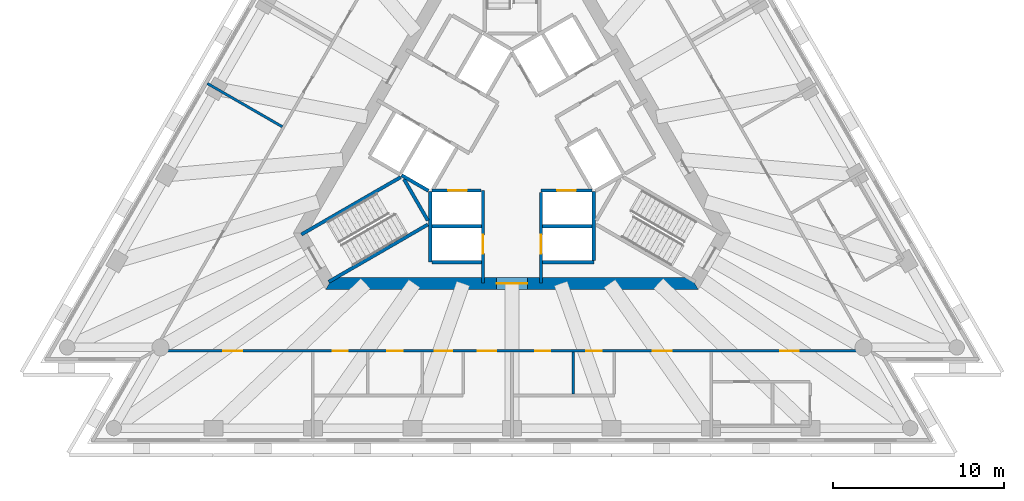
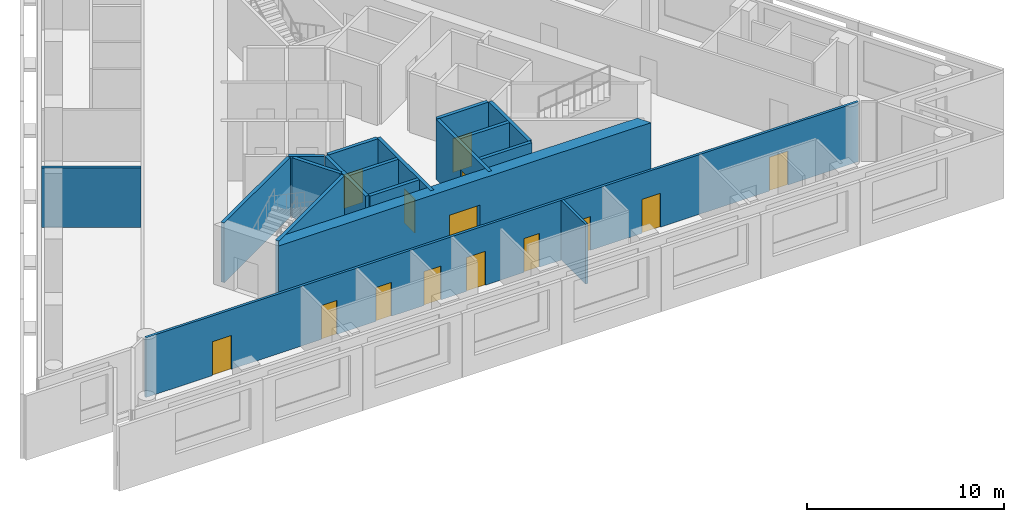
# One storey, part 3 of 10: 18 walls, 14 doors, 14 openings.
"""IFC4 building model written with IfcOpenShell, lengths in metres."""

from ifc_helpers import new_model, si_unit, direction, frame, frame_2d, origin, place, context, subcontext, project, spatial, polyline, rectangle, outline, extrude, material, layer, layer_set, type_object, element, fill, save


model = new_model("IFC4")

# Units and contexts
model_context = context("Model", 3, precision=1e-05, world=origin(), true_north=direction((0.0, 1.0)))
body_context = subcontext(model_context, "Body", "Model", "MODEL_VIEW")
ifc_project = project(units=[si_unit("LENGTHUNIT", "METRE"), si_unit("AREAUNIT", "SQUARE_METRE"), si_unit("VOLUMEUNIT", "CUBIC_METRE"), si_unit("PLANEANGLEUNIT", "RADIAN"), si_unit("MASSUNIT", "GRAM", prefix="KILO")], contexts=[model_context])

# Site, building, storey
site_placement = place(None, origin())
site = spatial("IfcSite", under=ifc_project, at=site_placement, CompositionType="ELEMENT")
building_placement = place(site_placement, origin())
building = spatial("IfcBuilding", under=site, at=building_placement, Name="Triada Interchange Tower", CompositionType="ELEMENT")
storey_placement = place(building_placement, frame((0.0, 0.0, 243.300048828125)))
storey = spatial("IfcBuildingStorey", under=building, at=storey_placement, Name="L57", CompositionType="ELEMENT", Elevation=243.300048828125)

# Walls
ifc_material_1 = material(Name="Concrete C30/37", Category="concrete")
ifc_layer_1 = layer(ifc_material_1, 0.199951171875)
ifc_layer_set_1 = layer_set([ifc_layer_1], Name="CORE WALL 200 EI 120")
wall_type_1 = type_object("IfcWallType", Name="CORE WALL 200 EI 120", PredefinedType="SOLIDWALL", material=ifc_layer_set_1)
for number, where, z_axis, x_axis, name in (
    (1, (-4.699951171875, -4.800048828125, 0.0), (0.0, 0.0, 1.0), (1.0, 0.0, 0.0), "Wall L56 43"),
    (2, (1.800048828125, -4.800048828125, 0.0), (0.0, 0.0, 1.0), (1.0, 0.0, 0.0), "Wall L56 44"),
):
    element("IfcWall", number, at=place(storey_placement, frame(where, z_axis=z_axis, x_axis=x_axis)), inside=storey, type_object=wall_type_1, Name=name, PredefinedType="SOLIDWALL", context=body_context, shape_type="SweptSolid", body=[
        extrude(rectangle(XDim=2.89990234375, YDim=0.199951171875, at=frame_2d((1.449951171875, 0.0))), origin(), (0.0, 0.0, 1.0), 3.699951171875),
    ])
wall_1_placement = place(storey_placement, frame((-4.800048828125, -6.89990234375, 0.0), z_axis=(0.0, 0.0, 1.0), x_axis=(0.0, 1.0, 0.0)))
element("IfcWall", 3, at=wall_1_placement, inside=storey, type_object=wall_type_1, Name="Wall L56 45", PredefinedType="SOLIDWALL", context=body_context, shape_type="SweptSolid", body=[
    extrude(rectangle(XDim=4.130859375, YDim=0.199951171875, at=frame_2d((2.0654296875, 0.0))), origin(), (0.0, 0.0, 1.0), 3.699951171875),
])
wall_2_placement = place(storey_placement, frame((-4.699951171875, -6.89990234375, 0.0), z_axis=(0.0, 0.0, 1.0), x_axis=(1.0, 0.0, 0.0)))
element("IfcWall", 4, at=wall_2_placement, inside=storey, type_object=wall_type_1, Name="Wall L56 46", PredefinedType="SOLIDWALL", context=body_context, shape_type="SweptSolid", body=[
    extrude(rectangle(XDim=2.89990234375, YDim=0.199951171875, at=frame_2d((1.449951171875, 0.0))), origin(), (0.0, 0.0, 1.0), 3.699951171875),
])
wall_3_placement = place(storey_placement, frame((1.800048828125, -6.89990234375, 0.0), z_axis=(0.0, 0.0, 1.0), x_axis=(1.0, 0.0, 0.0)))
element("IfcWall", 5, at=wall_3_placement, inside=storey, type_object=wall_type_1, Name="Wall L56 47", PredefinedType="SOLIDWALL", context=body_context, shape_type="SweptSolid", body=[
    extrude(rectangle(XDim=3.0, YDim=0.199951171875, at=frame_2d((1.5, 0.0))), origin(), (0.0, 0.0, 1.0), 3.699951171875),
])

# Wall, opening, door
wall_4_placement = place(storey_placement, frame((-1.699951171875, -8.1298828125, 0.0), z_axis=(0.0, 0.0, 1.0), x_axis=(0.0, 1.0, 0.0)))
wall_4 = element("IfcWall", 6, at=wall_4_placement, inside=storey, type_object=wall_type_1, Name="Wall L56 48", PredefinedType="SOLIDWALL", context=body_context, shape_type="SweptSolid", body=[
    extrude(rectangle(XDim=5.427001953125, YDim=0.199951171875, at=frame_2d((2.71337890625, 0.0))), origin(), (0.0, 0.0, 1.0), 3.699951171875),
])
opening_1_placement = place(wall_4_placement, frame((1.72998046875, 0.0, 0.0)))
opening_1 = element("IfcOpeningElement", 7, at=opening_1_placement, cuts=wall_4, Name="Opening LD-HR4", PredefinedType="OPENING", context=body_context, shape_type="SweptSolid", body=[
    extrude(rectangle(XDim=1.10009765625, YDim=2.10009765625, at=frame_2d((0.550048828125, 1.050048828125))), frame((0.0, 0.10986328125, 0.0), z_axis=(0.0, -1.0, 0.0), x_axis=(1.0, 0.0, 0.0)), (0.0, 0.0, 1.0), 0.219970703125),
])
ifc_material_2 = material(Name="Steel S235 door leaf", Category="steel")
door_type_1 = type_object("IfcDoorType", Name="LIFT LANDING DOOR 1100 EI 120", OperationType="SLIDING_TO_LEFT", PredefinedType="DOOR", material=ifc_material_2)
door_1_placement = place(opening_1_placement, origin())
door_1 = element("IfcDoor", 8, at=door_1_placement, inside=storey, type_object=door_type_1, Name="HR4 landing door L57", OperationType="SLIDING_TO_LEFT", OverallHeight=2.10009765625, OverallWidth=1.10009765625, PredefinedType="DOOR", context=body_context, shape_type="SweptSolid", body=[
    extrude(rectangle(XDim=1.10009765625, YDim=2.10009765625, at=frame_2d((0.550048828125, 1.050048828125))), frame((0.0, 0.02490234375, 0.0), z_axis=(0.0, -1.0, 0.0), x_axis=(1.0, 0.0, 0.0)), (0.0, 0.0, 1.0), 0.050048828125),
])
fill(opening_1, door_1)

wall_5_placement = place(storey_placement, frame((-4.676025390625, -2.699951171875, 0.0), z_axis=(0.0, 0.0, 1.0), x_axis=(1.0, 0.0, 0.0)))
wall_5 = element("IfcWall", 9, at=wall_5_placement, inside=storey, type_object=wall_type_1, Name="Wall L56 49", PredefinedType="SOLIDWALL", context=body_context, shape_type="SweptSolid", body=[
    extrude(rectangle(XDim=2.873046875, YDim=0.199951171875, at=frame_2d((1.4365234375, 0.0))), origin(), (0.0, 0.0, 1.0), 3.699951171875),
])
opening_2_placement = place(wall_5_placement, frame((0.93701171875, 0.0, 0.0)))
opening_2 = element("IfcOpeningElement", 10, at=opening_2_placement, cuts=wall_5, Name="Opening LD-HR3", PredefinedType="OPENING", context=body_context, shape_type="SweptSolid", body=[
    extrude(rectangle(XDim=1.10009765625, YDim=2.10009765625, at=frame_2d((0.550048828125, 1.050048828125))), frame((0.0, 0.10986328125, 0.0), z_axis=(0.0, -1.0, 0.0), x_axis=(1.0, 0.0, 0.0)), (0.0, 0.0, 1.0), 0.219970703125),
])
door_2_placement = place(opening_2_placement, origin())
door_2 = element("IfcDoor", 11, at=door_2_placement, inside=storey, type_object=door_type_1, Name="HR3 landing door L57", OperationType="SLIDING_TO_LEFT", OverallHeight=2.10009765625, OverallWidth=1.10009765625, PredefinedType="DOOR", context=body_context, shape_type="SweptSolid", body=[
    extrude(rectangle(XDim=1.10009765625, YDim=2.10009765625, at=frame_2d((0.550048828125, 1.050048828125))), frame((0.0, 0.02490234375, 0.0), z_axis=(0.0, -1.0, 0.0), x_axis=(1.0, 0.0, 0.0)), (0.0, 0.0, 1.0), 0.050048828125),
])
fill(opening_2, door_2)

wall_6_placement = place(storey_placement, frame((1.702880859375, -2.699951171875, 0.0), z_axis=(0.0, 0.0, 1.0), x_axis=(1.0, 0.0, 0.0)))
wall_6 = element("IfcWall", 12, at=wall_6_placement, inside=storey, type_object=wall_type_1, Name="Wall L56 50", PredefinedType="SOLIDWALL", context=body_context, shape_type="SweptSolid", body=[
    extrude(rectangle(XDim=2.97314453125, YDim=0.199951171875, at=frame_2d((1.486572265625, 0.0))), origin(), (0.0, 0.0, 1.0), 3.699951171875),
])
opening_3_placement = place(wall_6_placement, frame((0.93603515625, 0.0, 0.0)))
opening_3 = element("IfcOpeningElement", 13, at=opening_3_placement, cuts=wall_6, Name="Opening LD-HR1", PredefinedType="OPENING", context=body_context, shape_type="SweptSolid", body=[
    extrude(rectangle(XDim=1.10009765625, YDim=2.10009765625, at=frame_2d((0.550048828125, 1.050048828125))), frame((0.0, 0.10986328125, 0.0), z_axis=(0.0, -1.0, 0.0), x_axis=(1.0, 0.0, 0.0)), (0.0, 0.0, 1.0), 0.219970703125),
])
door_3_placement = place(opening_3_placement, origin())
door_3 = element("IfcDoor", 14, at=door_3_placement, inside=storey, type_object=door_type_1, Name="HR1 landing door L57", OperationType="SLIDING_TO_LEFT", OverallHeight=2.10009765625, OverallWidth=1.10009765625, PredefinedType="DOOR", context=body_context, shape_type="SweptSolid", body=[
    extrude(rectangle(XDim=1.10009765625, YDim=2.10009765625, at=frame_2d((0.550048828125, 1.050048828125))), frame((0.0, 0.02490234375, 0.0), z_axis=(0.0, -1.0, 0.0), x_axis=(1.0, 0.0, 0.0)), (0.0, 0.0, 1.0), 0.050048828125),
])
fill(opening_3, door_3)

wall_7_placement = place(storey_placement, frame((1.699951171875, -8.1298828125, 0.0), z_axis=(0.0, 0.0, 1.0), x_axis=(0.0, 1.0, 0.0)))
wall_7 = element("IfcWall", 15, at=wall_7_placement, inside=storey, type_object=wall_type_1, Name="Wall L56 55", PredefinedType="SOLIDWALL", context=body_context, shape_type="SweptSolid", body=[
    extrude(rectangle(XDim=5.326904296875, YDim=0.199951171875, at=frame_2d((2.66357421875, 0.0))), origin(), (0.0, 0.0, 1.0), 3.699951171875),
])
opening_4_placement = place(wall_7_placement, frame((1.72998046875, 0.0, 0.0)))
opening_4 = element("IfcOpeningElement", 16, at=opening_4_placement, cuts=wall_7, Name="Opening LD-HR2", PredefinedType="OPENING", context=body_context, shape_type="SweptSolid", body=[
    extrude(rectangle(XDim=1.10009765625, YDim=2.10009765625, at=frame_2d((0.550048828125, 1.050048828125))), frame((0.0, 0.10986328125, 0.0), z_axis=(0.0, -1.0, 0.0), x_axis=(1.0, 0.0, 0.0)), (0.0, 0.0, 1.0), 0.219970703125),
])
door_4_placement = place(opening_4_placement, origin())
door_4 = element("IfcDoor", 17, at=door_4_placement, inside=storey, type_object=door_type_1, Name="HR2 landing door L57", OperationType="SLIDING_TO_LEFT", OverallHeight=2.10009765625, OverallWidth=1.10009765625, PredefinedType="DOOR", context=body_context, shape_type="SweptSolid", body=[
    extrude(rectangle(XDim=1.10009765625, YDim=2.10009765625, at=frame_2d((0.550048828125, 1.050048828125))), frame((0.0, 0.02490234375, 0.0), z_axis=(0.0, -1.0, 0.0), x_axis=(1.0, 0.0, 0.0)), (0.0, 0.0, 1.0), 0.050048828125),
])
fill(opening_4, door_4)

# Walls
wall_8_placement = place(storey_placement, frame((4.800048828125, -6.800048828125, 0.0), z_axis=(0.0, 0.0, 1.0), x_axis=(0.0, 1.0, 0.0)))
element("IfcWall", 18, at=wall_8_placement, inside=storey, type_object=wall_type_1, Name="Wall L56 56", PredefinedType="SOLIDWALL", context=body_context, shape_type="SweptSolid", body=[
    extrude(rectangle(XDim=4.029052734375, YDim=0.199951171875, at=frame_2d((2.0146484375, 0.0))), origin(), (0.0, 0.0, 1.0), 3.699951171875),
])
ifc_layer_2 = layer(ifc_material_1, 0.199951171875)
ifc_layer_set_2 = layer_set([ifc_layer_2], Name="CORE WALL 200 EI 180")
wall_type_2 = type_object("IfcWallType", Name="CORE WALL 200 EI 180", PredefinedType="SOLIDWALL", material=ifc_layer_set_2)
wall_9_placement = place(storey_placement, frame((-6.469970703125, -1.806884765625, 0.0), z_axis=(0.0, 0.0, 1.0), x_axis=(0.865883195159, -0.500246231712, 0.0)))
element("IfcWall", 19, at=wall_9_placement, inside=storey, type_object=wall_type_2, Name="Shaft wall FF1 L56 74", PredefinedType="SOLIDWALL", context=body_context, shape_type="SweptSolid", body=[
    extrude(rectangle(XDim=1.8154296875, YDim=0.199951171875, at=frame_2d((0.90771484375, 0.0))), origin(), (0.0, 0.0, 1.0), 3.699951171875),
])
ifc_layer_3 = layer(ifc_material_1, 0.199951171875)
ifc_layer_set_3 = layer_set([ifc_layer_3], Name="CORE WALL 200 REI 240")
wall_type_3 = type_object("IfcWallType", Name="CORE WALL 200 REI 240", PredefinedType="SOLIDWALL", material=ifc_layer_set_3)
wall_10_placement = place(storey_placement, frame((-12.343994140625, -5.279052734375, 0.0), z_axis=(0.0, 0.0, 1.0), x_axis=(0.866046323291, 0.499963764601, 0.0)))
element("IfcWall", 20, at=wall_10_placement, inside=storey, type_object=wall_type_3, Name="Wall L56 84", PredefinedType="SOLIDWALL", context=body_context, shape_type="SweptSolid", body=[
    extrude(rectangle(XDim=6.71435546875, YDim=0.199951171875, at=frame_2d((3.357177734375, 0.0))), origin(), (0.0, 0.0, 1.0), 3.699951171875),
])
wall_11_placement = place(storey_placement, frame((-6.3291015625, -2.0380859375, 0.0), z_axis=(0.0, 0.0, 1.0), x_axis=(0.500200581029, -0.865909567298, 0.0)))
element("IfcWall", 21, at=wall_11_placement, inside=storey, type_object=wall_type_3, Name="Wall L56 85", PredefinedType="SOLIDWALL", context=body_context, shape_type="SweptSolid", body=[
    extrude(rectangle(XDim=2.799072265625, YDim=0.199951171875, at=frame_2d((1.3994140625, 0.0))), origin(), (0.0, 0.0, 1.0), 3.699951171875),
])
wall_12_placement = place(storey_placement, frame((-10.743896484375, -8.051025390625, 0.0), z_axis=(0.0, 0.0, 1.0), x_axis=(0.865983344943, 0.500072840975, 0.0)))
element("IfcWall", 22, at=wall_12_placement, inside=storey, type_object=wall_type_3, Name="Wall L56 86", PredefinedType="SOLIDWALL", context=body_context, shape_type="SweptSolid", body=[
    extrude(rectangle(XDim=6.71484375, YDim=0.199951171875, at=frame_2d((3.357421875, 0.0))), origin(), (0.0, 0.0, 1.0), 3.699951171875),
])

# Wall, opening, door
ifc_material_3 = material(Name="Concrete C50/60", Category="concrete")
ifc_layer_4 = layer(ifc_material_3, 0.699951171875)
ifc_layer_set_4 = layer_set([ifc_layer_4], Name="Core wall C 700")
wall_type_4 = type_object("IfcWallType", Name="Core wall C 700", PredefinedType="SHEAR", material=ifc_layer_set_4)
wall_13_placement = place(storey_placement, frame((-10.7099609375, -8.14990234375, -0.300048828125), z_axis=(0.0, 0.0, 1.0), x_axis=(1.0, 0.0, 0.0)))
wall_13 = element("IfcWall", 23, at=wall_13_placement, inside=storey, type_object=wall_type_4, Name="Core wall WC04 L57", PredefinedType="SHEAR", context=body_context, shape_type="SweptSolid", body=[
    extrude(outline(polyline([(-0.201904296875, -0.35009765625), (1.781982421875, -0.35009765625), (3.76611328125, -0.35009765625), (5.75, -0.35009765625), (7.734130859375, -0.35009765625), (9.718017578125, -0.35009765625), (11.7021484375, -0.35009765625), (13.68603515625, -0.35009765625), (15.670166015625, -0.35009765625), (17.654052734375, -0.35009765625), (19.63818359375, -0.35009765625), (21.6220703125, -0.35009765625), (21.218017578125, 0.35009765625), (19.307373046875, 0.35009765625), (17.39697265625, 0.35009765625), (15.486328125, 0.35009765625), (13.57568359375, 0.35009765625), (11.665283203125, 0.35009765625), (9.754638671875, 0.35009765625), (7.84423828125, 0.35009765625), (5.93359375, 0.35009765625), (4.02294921875, 0.35009765625), (2.112548828125, 0.35009765625), (0.201904296875, 0.35009765625), (-0.201904296875, -0.35009765625)])), origin(), (0.0, 0.0, 1.0), 4.0),
])
opening_5_placement = place(wall_13_placement, frame((9.81005859375, 0.0, 0.300048828125)))
opening_5 = element("IfcOpeningElement", 24, at=opening_5_placement, cuts=wall_13, Name="Opening D56-39", PredefinedType="OPENING", context=body_context, shape_type="SweptSolid", body=[
    extrude(rectangle(XDim=1.800048828125, YDim=2.10009765625, at=frame_2d((0.89990234375, 1.050048828125))), frame((0.0, 0.360107421875, 0.0), z_axis=(0.0, -1.0, 0.0), x_axis=(1.0, 0.0, 0.0)), (0.0, 0.0, 1.0), 0.72021484375),
])
door_type_2 = type_object("IfcDoorType", Name="LOBBY DOOR 1800 EI2 90-C5S200", OperationType="DOUBLE_DOOR_SINGLE_SWING", PredefinedType="DOOR", material=ifc_material_2)
door_5_placement = place(opening_5_placement, origin())
door_5 = element("IfcDoor", 25, at=door_5_placement, inside=storey, type_object=door_type_2, Name="Door D56-39 L57", OperationType="DOUBLE_DOOR_SINGLE_SWING", OverallHeight=2.10009765625, OverallWidth=1.800048828125, PredefinedType="DOOR", context=body_context, shape_type="SweptSolid", body=[
    extrude(rectangle(XDim=1.800048828125, YDim=2.10009765625, at=frame_2d((0.89990234375, 1.050048828125))), frame((0.0, 0.02490234375, 0.0), z_axis=(0.0, -1.0, 0.0), x_axis=(1.0, 0.0, 0.0)), (0.0, 0.0, 1.0), 0.050048828125),
])
fill(opening_5, door_5)

# Wall, openings, doors
ifc_material_4 = material(Name="Gypsum board partition")
ifc_layer_5 = layer(ifc_material_4, 0.14990234375)
ifc_layer_set_5 = layer_set([ifc_layer_5], Name="PARTITION 150 EI 180")
wall_type_5 = type_object("IfcWallType", Name="PARTITION 150 EI 180", PredefinedType="PARTITIONING", material=ifc_layer_set_5)
wall_14_placement = place(storey_placement, frame((-20.806884765625, -12.10009765625, 0.0), z_axis=(0.0, 0.0, 1.0), x_axis=(1.0, 0.0, 0.0)))
wall_14 = element("IfcWall", 26, at=wall_14_placement, inside=storey, type_object=wall_type_5, Name="Wall L56 3", PredefinedType="PARTITIONING", context=body_context, shape_type="SweptSolid", body=[
    extrude(rectangle(XDim=41.763916015625, YDim=0.14990234375, at=frame_2d((20.8818359375, 0.0))), origin(), (0.0, 0.0, 1.0), 3.699951171875),
])
opening_6_placement = place(wall_14_placement, frame((3.89990234375, 0.0, 0.0)))
opening_6 = element("IfcOpeningElement", 27, at=opening_6_placement, cuts=wall_14, Name="Opening D56-11", PredefinedType="OPENING", context=body_context, shape_type="SweptSolid", body=[
    extrude(rectangle(XDim=1.10009765625, YDim=2.10009765625, at=frame_2d((0.550048828125, 1.050048828125))), frame((0.0, 0.0849609375, 0.0), z_axis=(0.0, -1.0, 0.0), x_axis=(1.0, 0.0, 0.0)), (0.0, 0.0, 1.0), 0.169921875),
])
opening_7_placement = place(wall_14_placement, frame((18.7919921875, 0.0, 0.0)))
opening_7 = element("IfcOpeningElement", 28, at=opening_7_placement, cuts=wall_14, Name="Opening D56-12", PredefinedType="OPENING", context=body_context, shape_type="SweptSolid", body=[
    extrude(rectangle(XDim=1.10009765625, YDim=2.10009765625, at=frame_2d((0.550048828125, 1.050048828125))), frame((0.0, 0.0849609375, 0.0), z_axis=(0.0, -1.0, 0.0), x_axis=(1.0, 0.0, 0.0)), (0.0, 0.0, 1.0), 0.169921875),
])
opening_8_placement = place(wall_14_placement, frame((10.2919921875, 0.0, 0.0)))
opening_8 = element("IfcOpeningElement", 29, at=opening_8_placement, cuts=wall_14, Name="Opening D56-13", PredefinedType="OPENING", context=body_context, shape_type="SweptSolid", body=[
    extrude(rectangle(XDim=0.89990234375, YDim=2.10009765625, at=frame_2d((0.449951171875, 1.050048828125))), frame((0.0, 0.0849609375, 0.0), z_axis=(0.0, -1.0, 0.0), x_axis=(1.0, 0.0, 0.0)), (0.0, 0.0, 1.0), 0.169921875),
])
opening_9_placement = place(wall_14_placement, frame((13.491943359375, 0.0, 0.0)))
opening_9 = element("IfcOpeningElement", 30, at=opening_9_placement, cuts=wall_14, Name="Opening D56-14", PredefinedType="OPENING", context=body_context, shape_type="SweptSolid", body=[
    extrude(rectangle(XDim=0.89990234375, YDim=2.10009765625, at=frame_2d((0.449951171875, 1.050048828125))), frame((0.0, 0.0849609375, 0.0), z_axis=(0.0, -1.0, 0.0), x_axis=(1.0, 0.0, 0.0)), (0.0, 0.0, 1.0), 0.169921875),
])
opening_10_placement = place(wall_14_placement, frame((16.2919921875, 0.0, 0.0)))
opening_10 = element("IfcOpeningElement", 31, at=opening_10_placement, cuts=wall_14, Name="Opening D56-15", PredefinedType="OPENING", context=body_context, shape_type="SweptSolid", body=[
    extrude(rectangle(XDim=1.0, YDim=2.10009765625, at=frame_2d((0.5, 1.050048828125))), frame((0.0, 0.0849609375, 0.0), z_axis=(0.0, -1.0, 0.0), x_axis=(1.0, 0.0, 0.0)), (0.0, 0.0, 1.0), 0.169921875),
])
opening_11_placement = place(wall_14_placement, frame((29.056884765625, 0.0, 0.0)))
opening_11 = element("IfcOpeningElement", 32, at=opening_11_placement, cuts=wall_14, Name="Opening D56-16", PredefinedType="OPENING", context=body_context, shape_type="SweptSolid", body=[
    extrude(rectangle(XDim=1.10009765625, YDim=2.10009765625, at=frame_2d((0.550048828125, 1.050048828125))), frame((0.0, 0.0849609375, 0.0), z_axis=(0.0, -1.0, 0.0), x_axis=(1.0, 0.0, 0.0)), (0.0, 0.0, 1.0), 0.169921875),
])
opening_12_placement = place(wall_14_placement, frame((22.156982421875, 0.0, 0.0)))
opening_12 = element("IfcOpeningElement", 33, at=opening_12_placement, cuts=wall_14, Name="Opening D56-17", PredefinedType="OPENING", context=body_context, shape_type="SweptSolid", body=[
    extrude(rectangle(XDim=0.89990234375, YDim=2.10009765625, at=frame_2d((0.449951171875, 1.050048828125))), frame((0.0, 0.0849609375, 0.0), z_axis=(0.0, -1.0, 0.0), x_axis=(1.0, 0.0, 0.0)), (0.0, 0.0, 1.0), 0.169921875),
])
opening_13_placement = place(wall_14_placement, frame((25.156982421875, 0.0, 0.0)))
opening_13 = element("IfcOpeningElement", 34, at=opening_13_placement, cuts=wall_14, Name="Opening D56-18", PredefinedType="OPENING", context=body_context, shape_type="SweptSolid", body=[
    extrude(rectangle(XDim=0.89990234375, YDim=2.10009765625, at=frame_2d((0.449951171875, 1.050048828125))), frame((0.0, 0.0849609375, 0.0), z_axis=(0.0, -1.0, 0.0), x_axis=(1.0, 0.0, 0.0)), (0.0, 0.0, 1.0), 0.169921875),
])
opening_14_placement = place(wall_14_placement, frame((36.52197265625, 0.0, 0.0)))
opening_14 = element("IfcOpeningElement", 35, at=opening_14_placement, cuts=wall_14, Name="Opening D56-19", PredefinedType="OPENING", context=body_context, shape_type="SweptSolid", body=[
    extrude(rectangle(XDim=1.10009765625, YDim=2.10009765625, at=frame_2d((0.550048828125, 1.050048828125))), frame((0.0, 0.0849609375, 0.0), z_axis=(0.0, -1.0, 0.0), x_axis=(1.0, 0.0, 0.0)), (0.0, 0.0, 1.0), 0.169921875),
])
door_type_3 = type_object("IfcDoorType", Name="ROOM DOOR 1000 EI2 90-C5S200", OperationType="NOTDEFINED", PredefinedType="DOOR", material=ifc_material_2)
door_6_placement = place(opening_10_placement, origin())
door_6 = element("IfcDoor", 36, at=door_6_placement, inside=storey, type_object=door_type_3, Name="Door D56-15 L57", OperationType="SINGLE_SWING_RIGHT", OverallHeight=2.10009765625, OverallWidth=1.0, PredefinedType="DOOR", context=body_context, shape_type="SweptSolid", body=[
    extrude(rectangle(XDim=1.0, YDim=2.10009765625, at=frame_2d((0.5, 1.050048828125))), frame((0.0, 0.02490234375, 0.0), z_axis=(0.0, -1.0, 0.0), x_axis=(1.0, 0.0, 0.0)), (0.0, 0.0, 1.0), 0.050048828125),
])
fill(opening_10, door_6)
door_type_4 = type_object("IfcDoorType", Name="ROOM DOOR 900 EI2 90-C5S200", OperationType="NOTDEFINED", PredefinedType="DOOR", material=ifc_material_2)
door_7_placement = place(opening_8_placement, origin())
door_7 = element("IfcDoor", 37, at=door_7_placement, inside=storey, type_object=door_type_4, Name="Door D56-13 L57", OperationType="SINGLE_SWING_RIGHT", OverallHeight=2.10009765625, OverallWidth=0.89990234375, PredefinedType="DOOR", context=body_context, shape_type="SweptSolid", body=[
    extrude(rectangle(XDim=0.89990234375, YDim=2.10009765625, at=frame_2d((0.449951171875, 1.050048828125))), frame((0.0, 0.02490234375, 0.0), z_axis=(0.0, -1.0, 0.0), x_axis=(1.0, 0.0, 0.0)), (0.0, 0.0, 1.0), 0.050048828125),
])
fill(opening_8, door_7)
door_8_placement = place(opening_9_placement, origin())
door_8 = element("IfcDoor", 38, at=door_8_placement, inside=storey, type_object=door_type_4, Name="Door D56-14 L57", OperationType="SINGLE_SWING_LEFT", OverallHeight=2.10009765625, OverallWidth=0.89990234375, PredefinedType="DOOR", context=body_context, shape_type="SweptSolid", body=[
    extrude(rectangle(XDim=0.89990234375, YDim=2.10009765625, at=frame_2d((0.449951171875, 1.050048828125))), frame((0.0, 0.02490234375, 0.0), z_axis=(0.0, -1.0, 0.0), x_axis=(1.0, 0.0, 0.0)), (0.0, 0.0, 1.0), 0.050048828125),
])
fill(opening_9, door_8)
door_9_placement = place(opening_12_placement, origin())
door_9 = element("IfcDoor", 39, at=door_9_placement, inside=storey, type_object=door_type_4, Name="Door D56-17 L57", OperationType="SINGLE_SWING_RIGHT", OverallHeight=2.10009765625, OverallWidth=0.89990234375, PredefinedType="DOOR", context=body_context, shape_type="SweptSolid", body=[
    extrude(rectangle(XDim=0.89990234375, YDim=2.10009765625, at=frame_2d((0.449951171875, 1.050048828125))), frame((0.0, 0.02490234375, 0.0), z_axis=(0.0, -1.0, 0.0), x_axis=(1.0, 0.0, 0.0)), (0.0, 0.0, 1.0), 0.050048828125),
])
fill(opening_12, door_9)
door_10_placement = place(opening_13_placement, origin())
door_10 = element("IfcDoor", 40, at=door_10_placement, inside=storey, type_object=door_type_4, Name="Door D56-18 L57", OperationType="SINGLE_SWING_RIGHT", OverallHeight=2.10009765625, OverallWidth=0.89990234375, PredefinedType="DOOR", context=body_context, shape_type="SweptSolid", body=[
    extrude(rectangle(XDim=0.89990234375, YDim=2.10009765625, at=frame_2d((0.449951171875, 1.050048828125))), frame((0.0, 0.02490234375, 0.0), z_axis=(0.0, -1.0, 0.0), x_axis=(1.0, 0.0, 0.0)), (0.0, 0.0, 1.0), 0.050048828125),
])
fill(opening_13, door_10)
door_type_5 = type_object("IfcDoorType", Name="TENANCY ENTRANCE DOOR 1100 EI2 90-C5S200", OperationType="NOTDEFINED", PredefinedType="DOOR", material=ifc_material_2)
door_11_placement = place(opening_6_placement, origin())
door_11 = element("IfcDoor", 41, at=door_11_placement, inside=storey, type_object=door_type_5, Name="Door D56-11 L57", OperationType="SINGLE_SWING_RIGHT", OverallHeight=2.10009765625, OverallWidth=1.10009765625, PredefinedType="DOOR", context=body_context, shape_type="SweptSolid", body=[
    extrude(rectangle(XDim=1.10009765625, YDim=2.10009765625, at=frame_2d((0.550048828125, 1.050048828125))), frame((0.0, 0.02490234375, 0.0), z_axis=(0.0, -1.0, 0.0), x_axis=(1.0, 0.0, 0.0)), (0.0, 0.0, 1.0), 0.050048828125),
])
fill(opening_6, door_11)
door_12_placement = place(opening_7_placement, origin())
door_12 = element("IfcDoor", 42, at=door_12_placement, inside=storey, type_object=door_type_5, Name="Door D56-12 L57", OperationType="SINGLE_SWING_LEFT", OverallHeight=2.10009765625, OverallWidth=1.10009765625, PredefinedType="DOOR", context=body_context, shape_type="SweptSolid", body=[
    extrude(rectangle(XDim=1.10009765625, YDim=2.10009765625, at=frame_2d((0.550048828125, 1.050048828125))), frame((0.0, 0.02490234375, 0.0), z_axis=(0.0, -1.0, 0.0), x_axis=(1.0, 0.0, 0.0)), (0.0, 0.0, 1.0), 0.050048828125),
])
fill(opening_7, door_12)
door_13_placement = place(opening_11_placement, origin())
door_13 = element("IfcDoor", 43, at=door_13_placement, inside=storey, type_object=door_type_5, Name="Door D56-16 L57", OperationType="SINGLE_SWING_LEFT", OverallHeight=2.10009765625, OverallWidth=1.10009765625, PredefinedType="DOOR", context=body_context, shape_type="SweptSolid", body=[
    extrude(rectangle(XDim=1.10009765625, YDim=2.10009765625, at=frame_2d((0.550048828125, 1.050048828125))), frame((0.0, 0.02490234375, 0.0), z_axis=(0.0, -1.0, 0.0), x_axis=(1.0, 0.0, 0.0)), (0.0, 0.0, 1.0), 0.050048828125),
])
fill(opening_11, door_13)
door_14_placement = place(opening_14_placement, origin())
door_14 = element("IfcDoor", 44, at=door_14_placement, inside=storey, type_object=door_type_5, Name="Door D56-19 L57", OperationType="SINGLE_SWING_LEFT", OverallHeight=2.10009765625, OverallWidth=1.10009765625, PredefinedType="DOOR", context=body_context, shape_type="SweptSolid", body=[
    extrude(rectangle(XDim=1.10009765625, YDim=2.10009765625, at=frame_2d((0.550048828125, 1.050048828125))), frame((0.0, 0.02490234375, 0.0), z_axis=(0.0, -1.0, 0.0), x_axis=(1.0, 0.0, 0.0)), (0.0, 0.0, 1.0), 0.050048828125),
])
fill(opening_14, door_14)

# Walls
wall_15_placement = place(storey_placement, frame((-17.85009765625, 3.571044921875, 0.0), z_axis=(0.0, 0.0, 1.0), x_axis=(0.866086140321, -0.499894786475, 0.0)))
element("IfcWall", 45, at=wall_15_placement, inside=storey, type_object=wall_type_5, Name="Wall L56 5", PredefinedType="PARTITIONING", context=body_context, shape_type="SweptSolid", body=[
    extrude(rectangle(XDim=5.06884765625, YDim=0.14990234375, at=frame_2d((2.534423828125, 0.0))), origin(), (0.0, 0.0, 1.0), 3.699951171875),
])
wall_16_placement = place(storey_placement, frame((3.60009765625, -14.636962890625, 0.0), z_axis=(0.0, 0.0, 1.0), x_axis=(0.0, 1.0, 0.0)))
element("IfcWall", 46, at=wall_16_placement, inside=storey, type_object=wall_type_5, Name="Wall L56 23", PredefinedType="PARTITIONING", context=body_context, shape_type="SweptSolid", body=[
    extrude(rectangle(XDim=2.4619140625, YDim=0.14990234375, at=frame_2d((1.23095703125, 0.0))), origin(), (0.0, 0.0, 1.0), 3.699951171875),
])

save(model, "model.ifc")
